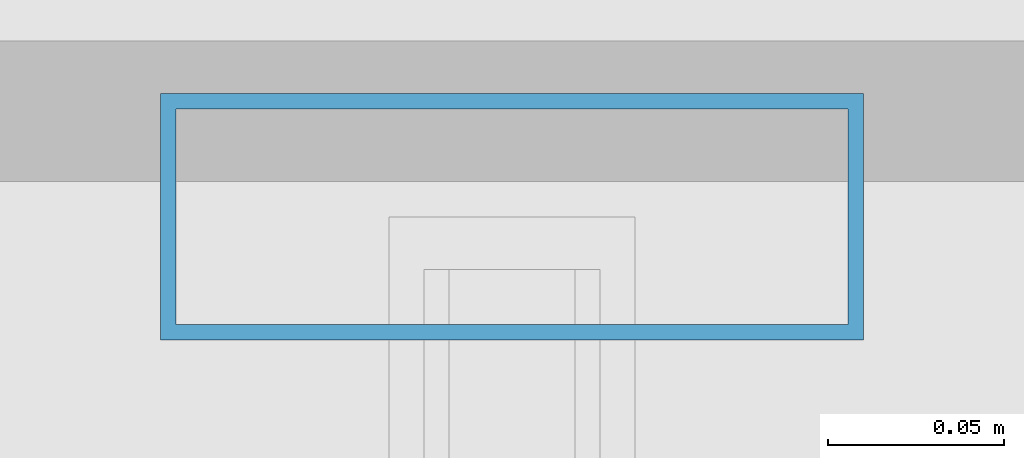
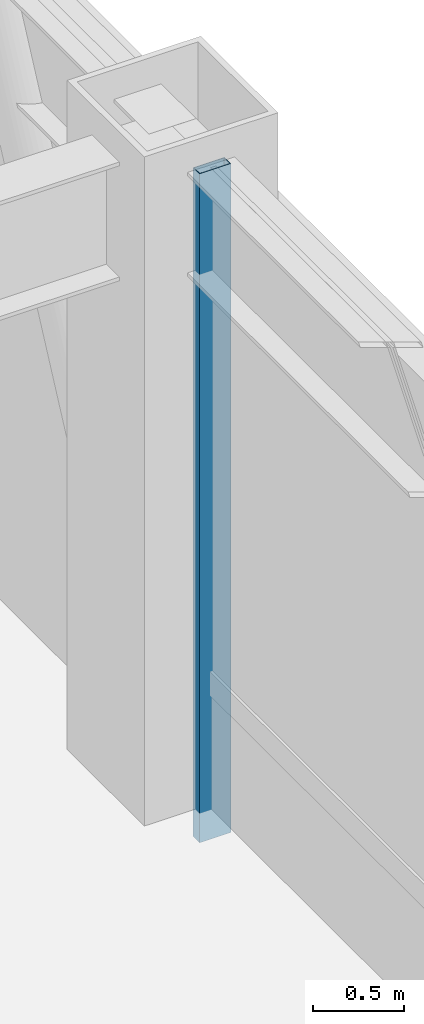
# One storey, part 17 of 32: 1 member, 1 element without a shape of its own.
"""IFC4 building model written with IfcOpenShell, lengths in metres."""

from ifc_helpers import new_model, si_unit, direction, frame, origin, origin_2d, place, context, subcontext, project, spatial, hollow_rectangle, extrude, material, layer, layer_set, material_profile, profile_set, type_object, element, aggregate, save


model = new_model("IFC4")

# Units and contexts
model_context = context("Model", 3, precision=1e-05, world=origin(), true_north=direction((0.0, 1.0)))
body_context = subcontext(model_context, "Body", "Model", "MODEL_VIEW")
ifc_project = project(units=[si_unit("LENGTHUNIT", "METRE"), si_unit("AREAUNIT", "SQUARE_METRE"), si_unit("VOLUMEUNIT", "CUBIC_METRE"), si_unit("PLANEANGLEUNIT", "RADIAN"), si_unit("MASSUNIT", "GRAM", prefix="KILO")], contexts=[model_context])

# Site, building, storey
site_placement = place(None, origin())
site = spatial("IfcSite", under=ifc_project, at=site_placement, CompositionType="ELEMENT")
building_placement = place(site_placement, origin())
building = spatial("IfcBuilding", under=site, at=building_placement, Name="Brelmoor Portico Tower", CompositionType="ELEMENT")
storey_placement = place(building_placement, frame((0.0, 0.0, 87.300048828125)))
storey = spatial("IfcBuildingStorey", under=building, at=storey_placement, Name="L22", CompositionType="ELEMENT", Elevation=87.300048828125)

# Curtain wall, member
ifc_material = material(Name="Anodised Aluminium Alloy 6063-T6", Category="aluminium")
ifc_layer = layer(ifc_material, 0.179931640625)
ifc_layer_set = layer_set([ifc_layer], Name="Anodised Aluminium Alloy 6063-T6")
curtain_wall_type = type_object("IfcCurtainWallType", Name="CW-SKYLOBBY", PredefinedType="NOTDEFINED", material=ifc_layer_set)
curtain_wall_placement = place(storey_placement, origin())
curtain_wall = element("IfcCurtainWall", 1, at=curtain_wall_placement, inside=storey, type_object=curtain_wall_type, Name="L22 Curtain Wall CW-L22-04-2", PredefinedType="NOTDEFINED")
ifc_material_profile = material_profile(ifc_material, hollow_rectangle(XDim=0.070068359375, YDim=0.199951171875, WallThickness=0.00439453125, at=origin_2d()), Name="ALU MULLION 70x200")
ifc_profile_set = profile_set([ifc_material_profile], Name="Anodised Aluminium Alloy 6063-T6")
member_type = type_object("IfcMemberType", Name="MB-CW-MULL-200", PredefinedType="MULLION", material=ifc_profile_set)
member_placement = place(storey_placement, frame((22.550048828125, 9.31494140625, -0.199951171875), z_axis=(0.0, 0.0, 1.0), x_axis=(0.0, 1.0, 0.0)))
member = element("IfcMember", 2, at=member_placement, type_object=member_type, Name="CW-L22-04-2 Mullion 02", PredefinedType="MULLION", context=body_context, shape_type="SweptSolid", body=[
    extrude(hollow_rectangle(XDim=0.070068359375, YDim=0.199951171875, WallThickness=0.00439453125, at=origin_2d()), origin(), (0.0, 0.0, 1.0), 4.5),
])
aggregate(curtain_wall, [member])

save(model, "model.ifc")
